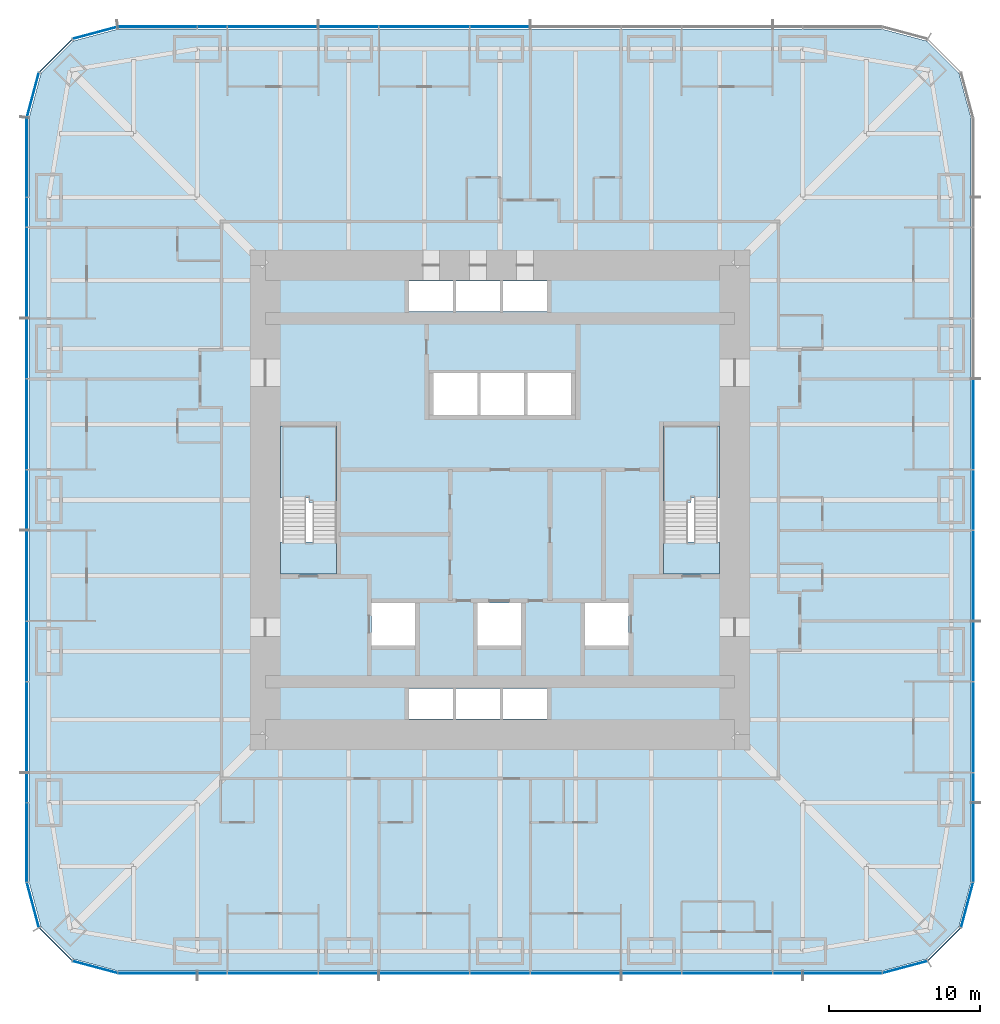
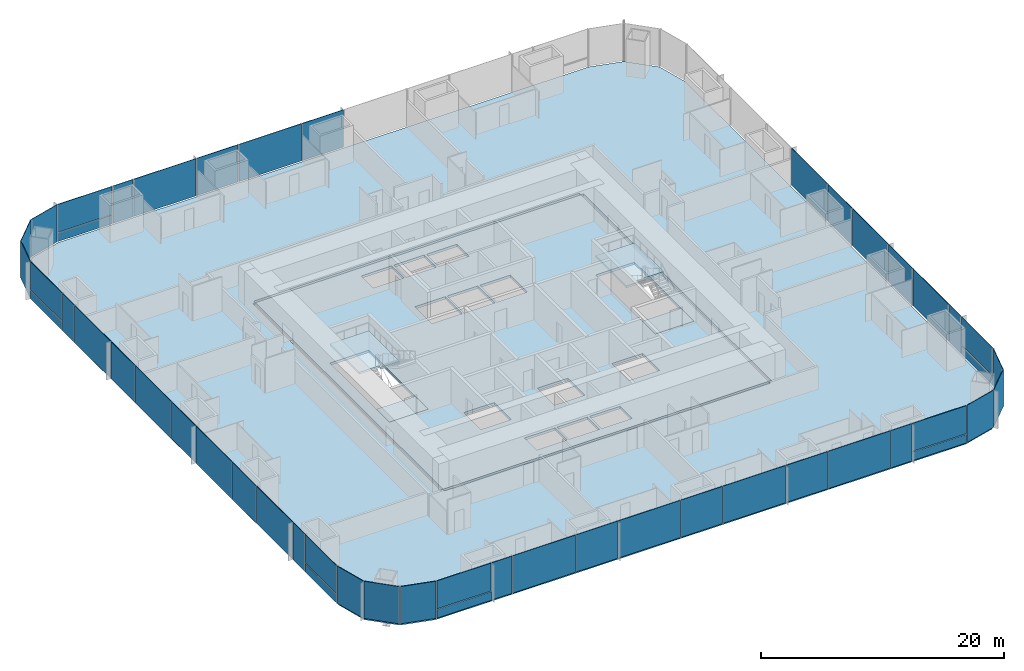
# One storey, part 10 of 16: 50 plates, 6 slabs, 9 elements without a shape of their own.
"""IFC4 building model written with IfcOpenShell, lengths in metres."""

from ifc_helpers import new_model, si_unit, direction, frame, origin, origin_2d, place, context, subcontext, project, spatial, polyline, rectangle, outline, extrude, material, layer, layer_set, type_object, element, aggregate, save


model = new_model("IFC4")

# Units and contexts
model_context = context("Model", 3, precision=1e-05, world=origin(), true_north=direction((0.0, 1.0)))
body_context = subcontext(model_context, "Body", "Model", "MODEL_VIEW")
ifc_project = project(units=[si_unit("LENGTHUNIT", "METRE"), si_unit("AREAUNIT", "SQUARE_METRE"), si_unit("VOLUMEUNIT", "CUBIC_METRE"), si_unit("PLANEANGLEUNIT", "RADIAN"), si_unit("MASSUNIT", "GRAM", prefix="KILO")], contexts=[model_context])

# Site, building, storey
site_placement = place(None, origin())
site = spatial("IfcSite", under=ifc_project, at=site_placement, CompositionType="ELEMENT")
building_placement = place(site_placement, origin())
building = spatial("IfcBuilding", under=site, at=building_placement, Name="Khuree Lantern Residences", CompositionType="ELEMENT")
storey_placement = place(building_placement, frame((0.0, 0.0, 81.0)))
storey = spatial("IfcBuildingStorey", under=building, at=storey_placement, Name="L20", CompositionType="ELEMENT", Elevation=81.0)

# Slab
ifc_material_1 = material(Name="Concrete C35/45", Category="concrete")
ifc_layer_1 = layer(ifc_material_1, 0.25)
ifc_layer_set_1 = layer_set([ifc_layer_1], Name="CFL250 CORE FLOOR SLAB 250")
slab_type_1 = type_object("IfcSlabType", Name="CFL250 CORE FLOOR SLAB 250", PredefinedType="FLOOR", material=ifc_layer_set_1)
slab_1_placement = place(storey_placement, frame((0.0, 0.0, -0.25)))
element("IfcSlab", 1, at=slab_1_placement, inside=storey, type_object=slab_type_1, Name="Core floor L20", PredefinedType="FLOOR", context=body_context, shape_type="SweptSolid", body=[
    extrude(outline(polyline([(-15.5, -15.5), (-15.5, 15.5), (15.5, 15.5), (15.5, -15.5), (-15.5, -15.5)]), holes=[polyline([(14.5, 4.89990234375), (10.800048828125, 4.89990234375), (10.800048828125, -4.89990234375), (14.5, -4.89990234375), (14.5, 4.89990234375)]), polyline([(8.5, -6.800048828125), (5.60009765625, -6.800048828125), (5.60009765625, -9.60009765625), (8.5, -9.60009765625), (8.5, -6.800048828125)]), polyline([(4.699951171875, 8.39990234375), (1.800048828125, 8.39990234375), (1.800048828125, 5.60009765625), (4.699951171875, 5.60009765625), (4.699951171875, 8.39990234375)]), polyline([(0.199951171875, -12.449951171875), (0.199951171875, -14.449951171875), (3.10009765625, -14.449951171875), (3.10009765625, -12.449951171875), (0.199951171875, -12.449951171875)]), polyline([(3.10009765625, 14.449951171875), (0.199951171875, 14.449951171875), (0.199951171875, 12.449951171875), (3.10009765625, 12.449951171875), (3.10009765625, 14.449951171875)]), polyline([(1.60009765625, 8.39990234375), (-1.300048828125, 8.39990234375), (-1.300048828125, 5.60009765625), (1.60009765625, 5.60009765625), (1.60009765625, 8.39990234375)]), polyline([(1.39990234375, -6.800048828125), (-1.5, -6.800048828125), (-1.5, -9.60009765625), (1.39990234375, -9.60009765625), (1.39990234375, -6.800048828125)]), polyline([(0.0, -12.449951171875), (-2.89990234375, -12.449951171875), (-2.89990234375, -14.449951171875), (0.0, -14.449951171875), (0.0, -12.449951171875)]), polyline([(0.0, 14.449951171875), (-2.89990234375, 14.449951171875), (-2.89990234375, 12.449951171875), (0.0, 12.449951171875), (0.0, 14.449951171875)]), polyline([(-1.5, 8.39990234375), (-4.39990234375, 8.39990234375), (-4.39990234375, 5.60009765625), (-1.5, 5.60009765625), (-1.5, 8.39990234375)]), polyline([(-6.0, -12.449951171875), (-6.0, -14.449951171875), (-3.10009765625, -14.449951171875), (-3.10009765625, -12.449951171875), (-6.0, -12.449951171875)]), polyline([(-3.10009765625, 14.449951171875), (-6.0, 14.449951171875), (-6.0, 12.449951171875), (-3.10009765625, 12.449951171875), (-3.10009765625, 14.449951171875)]), polyline([(-5.60009765625, -6.800048828125), (-8.5, -6.800048828125), (-8.5, -9.60009765625), (-5.60009765625, -9.60009765625), (-5.60009765625, -6.800048828125)]), polyline([(-10.800048828125, 4.89990234375), (-14.5, 4.89990234375), (-14.5, -4.89990234375), (-10.800048828125, -4.89990234375), (-10.800048828125, 4.89990234375)])]), origin(), (0.0, 0.0, 1.0), 0.25),
])

# Curtain wall, plates
ifc_material_2 = material(Name="Bronze anodised aluminium", Category="aluminium")
curtain_wall_type_1 = type_object("IfcCurtainWallType", Name="CW-T2 TOWER CORNER CURTAIN WALL", PredefinedType="USERDEFINED", material=ifc_material_2)
curtain_wall_1_placement = place(storey_placement, origin())
curtain_wall_1 = element("IfcCurtainWall", 2, at=curtain_wall_1_placement, inside=storey, type_object=curtain_wall_type_1, Name="L20 SOUTH-EAST CORNER CURTAIN WALL", ObjectType="Faceted corner curtain wall", PredefinedType="USERDEFINED")
ifc_material_3 = material(Name="Bronze tinted triple glazing", Category="glass")
ifc_layer_2 = layer(ifc_material_3, 0.048095703125)
ifc_layer_set_2 = layer_set([ifc_layer_2], Name="FACET PANEL P4")
plate_type_1 = type_object("IfcPlateType", Name="FACET PANEL P4", PredefinedType="CURTAIN_PANEL", material=ifc_layer_set_2)
plate_1_placement = place(storey_placement, frame((26.748046875, -30.8486328125, 0.0), z_axis=(0.0, 0.0, 1.0), x_axis=(0.965925792265, 0.258819172081, 0.0)))
plate_1 = element("IfcPlate", 3, at=plate_1_placement, type_object=plate_type_1, Name="L20 SOUTH-EAST CORNER PANEL 1.1", PredefinedType="CURTAIN_PANEL", context=body_context, shape_type="SweptSolid", body=[
    extrude(rectangle(XDim=3.02978515625, YDim=0.048095703125, at=origin_2d()), origin(), (0.0, 0.0, 1.0), 3.75),
])
plate_2_placement = place(storey_placement, frame((29.34814453125, -29.34814453125, 0.0), z_axis=(0.0, 0.0, 1.0), x_axis=(0.707106781187, 0.707106781187, 0.0)))
plate_2 = element("IfcPlate", 4, at=plate_2_placement, type_object=plate_type_1, Name="L20 SOUTH-EAST CORNER PANEL 2.1", PredefinedType="CURTAIN_PANEL", context=body_context, shape_type="SweptSolid", body=[
    extrude(rectangle(XDim=3.025634765625, YDim=0.048095703125, at=origin_2d()), origin(), (0.0, 0.0, 1.0), 3.75),
])
plate_3_placement = place(storey_placement, frame((30.8486328125, -26.748046875, 0.0), z_axis=(0.0, 0.0, 1.0), x_axis=(0.258819172081, 0.965925792265, 0.0)))
plate_3 = element("IfcPlate", 5, at=plate_3_placement, type_object=plate_type_1, Name="L20 SOUTH-EAST CORNER PANEL 3.1", PredefinedType="CURTAIN_PANEL", context=body_context, shape_type="SweptSolid", body=[
    extrude(rectangle(XDim=3.02978515625, YDim=0.048095703125, at=origin_2d()), origin(), (0.0, 0.0, 1.0), 3.75),
])
aggregate(curtain_wall_1, [plate_1, plate_2, plate_3])

curtain_wall_2_placement = place(storey_placement, origin())
curtain_wall_2 = element("IfcCurtainWall", 6, at=curtain_wall_2_placement, inside=storey, type_object=curtain_wall_type_1, Name="L20 NORTH-WEST CORNER CURTAIN WALL", ObjectType="Faceted corner curtain wall", PredefinedType="USERDEFINED")
plate_4_placement = place(storey_placement, frame((-26.748046875, 30.8486328125, 0.0), z_axis=(0.0, 0.0, 1.0), x_axis=(-0.965925792265, -0.258819172081, 0.0)))
plate_4 = element("IfcPlate", 7, at=plate_4_placement, type_object=plate_type_1, Name="L20 NORTH-WEST CORNER PANEL 29.1", PredefinedType="CURTAIN_PANEL", context=body_context, shape_type="SweptSolid", body=[
    extrude(rectangle(XDim=3.02978515625, YDim=0.048095703125, at=origin_2d()), origin(), (0.0, 0.0, 1.0), 3.75),
])
plate_5_placement = place(storey_placement, frame((-29.34814453125, 29.34814453125, 0.0), z_axis=(0.0, 0.0, 1.0), x_axis=(-0.707106781187, -0.707106781187, 0.0)))
plate_5 = element("IfcPlate", 8, at=plate_5_placement, type_object=plate_type_1, Name="L20 NORTH-WEST CORNER PANEL 30.1", PredefinedType="CURTAIN_PANEL", context=body_context, shape_type="SweptSolid", body=[
    extrude(rectangle(XDim=3.025634765625, YDim=0.048095703125, at=origin_2d()), origin(), (0.0, 0.0, 1.0), 3.75),
])
plate_6_placement = place(storey_placement, frame((-30.8486328125, 26.748046875, 0.0), z_axis=(0.0, 0.0, 1.0), x_axis=(-0.258819172081, -0.965925792265, 0.0)))
plate_6 = element("IfcPlate", 9, at=plate_6_placement, type_object=plate_type_1, Name="L20 NORTH-WEST CORNER PANEL 31.1", PredefinedType="CURTAIN_PANEL", context=body_context, shape_type="SweptSolid", body=[
    extrude(rectangle(XDim=3.02978515625, YDim=0.048095703125, at=origin_2d()), origin(), (0.0, 0.0, 1.0), 3.75),
])
aggregate(curtain_wall_2, [plate_4, plate_5, plate_6])

curtain_wall_3_placement = place(storey_placement, origin())
curtain_wall_3 = element("IfcCurtainWall", 10, at=curtain_wall_3_placement, inside=storey, type_object=curtain_wall_type_1, Name="L20 SOUTH-WEST CORNER CURTAIN WALL", ObjectType="Faceted corner curtain wall", PredefinedType="USERDEFINED")
plate_7_placement = place(storey_placement, frame((-30.8486328125, -26.748046875, 0.0), z_axis=(0.0, 0.0, 1.0), x_axis=(0.258819172081, -0.965925792265, 0.0)))
plate_7 = element("IfcPlate", 11, at=plate_7_placement, type_object=plate_type_1, Name="L20 SOUTH-WEST CORNER PANEL 43.1", PredefinedType="CURTAIN_PANEL", context=body_context, shape_type="SweptSolid", body=[
    extrude(rectangle(XDim=3.02978515625, YDim=0.048095703125, at=origin_2d()), origin(), (0.0, 0.0, 1.0), 3.75),
])
plate_8_placement = place(storey_placement, frame((-29.34814453125, -29.34814453125, 0.0), z_axis=(0.0, 0.0, 1.0), x_axis=(0.707106781187, -0.707106781187, 0.0)))
plate_8 = element("IfcPlate", 12, at=plate_8_placement, type_object=plate_type_1, Name="L20 SOUTH-WEST CORNER PANEL 44.1", PredefinedType="CURTAIN_PANEL", context=body_context, shape_type="SweptSolid", body=[
    extrude(rectangle(XDim=3.025634765625, YDim=0.048095703125, at=origin_2d()), origin(), (0.0, 0.0, 1.0), 3.75),
])
plate_9_placement = place(storey_placement, frame((-26.748046875, -30.8486328125, 0.0), z_axis=(0.0, 0.0, 1.0), x_axis=(0.965925792265, -0.258819172081, 0.0)))
plate_9 = element("IfcPlate", 13, at=plate_9_placement, type_object=plate_type_1, Name="L20 SOUTH-WEST CORNER PANEL 45.1", PredefinedType="CURTAIN_PANEL", context=body_context, shape_type="SweptSolid", body=[
    extrude(rectangle(XDim=3.02978515625, YDim=0.048095703125, at=origin_2d()), origin(), (0.0, 0.0, 1.0), 3.75),
])
aggregate(curtain_wall_3, [plate_7, plate_8, plate_9])

curtain_wall_type_2 = type_object("IfcCurtainWallType", Name="CW-T1 TOWER FACE CURTAIN WALL", PredefinedType="USERDEFINED", material=ifc_material_2)
curtain_wall_4_placement = place(storey_placement, origin())
curtain_wall_4 = element("IfcCurtainWall", 14, at=curtain_wall_4_placement, inside=storey, type_object=curtain_wall_type_2, Name="L20 EAST FACE CURTAIN WALL", ObjectType="Stick-built curtain wall", PredefinedType="USERDEFINED")
ifc_material_4 = material(Name="Bronze tinted triple glazing with a ceramic-fritted spandrel band", Category="glass")
ifc_layer_3 = layer(ifc_material_4, 0.048095703125)
ifc_layer_set_3 = layer_set([ifc_layer_3], Name="FIXED LIGHT PANEL P11")
plate_type_2 = type_object("IfcPlateType", Name="FIXED LIGHT PANEL P11", PredefinedType="CURTAIN_PANEL", material=ifc_layer_set_3)
plate_10_placement = place(storey_placement, frame((31.25, -15.0, 0.0), z_axis=(0.0, 0.0, 1.0), x_axis=(0.0, 1.0, 0.0)))
plate_10 = element("IfcPlate", 15, at=plate_10_placement, type_object=plate_type_2, Name="L20 EAST FACE PANEL 6.1", PredefinedType="CURTAIN_PANEL", context=body_context, shape_type="SweptSolid", body=[
    extrude(rectangle(XDim=5.93505859375, YDim=0.048095703125, at=origin_2d()), origin(), (0.0, 0.0, 1.0), 3.75),
])
plate_11_placement = place(storey_placement, frame((31.25, -5.0, 0.0), z_axis=(0.0, 0.0, 1.0), x_axis=(0.0, 1.0, 0.0)))
plate_11 = element("IfcPlate", 16, at=plate_11_placement, type_object=plate_type_2, Name="L20 EAST FACE PANEL 8.1", PredefinedType="CURTAIN_PANEL", context=body_context, shape_type="SweptSolid", body=[
    extrude(rectangle(XDim=5.93505859375, YDim=0.048095703125, at=origin_2d()), origin(), (0.0, 0.0, 1.0), 3.75),
])
plate_12_placement = place(storey_placement, frame((31.25, 5.0, 0.0), z_axis=(0.0, 0.0, 1.0), x_axis=(0.0, 1.0, 0.0)))
plate_12 = element("IfcPlate", 17, at=plate_12_placement, type_object=plate_type_2, Name="L20 EAST FACE PANEL 10.1", PredefinedType="CURTAIN_PANEL", context=body_context, shape_type="SweptSolid", body=[
    extrude(rectangle(XDim=5.93505859375, YDim=0.048095703125, at=origin_2d()), origin(), (0.0, 0.0, 1.0), 3.75),
])

curtain_wall_5_placement = place(storey_placement, origin())
curtain_wall_5 = element("IfcCurtainWall", 18, at=curtain_wall_5_placement, inside=storey, type_object=curtain_wall_type_2, Name="L20 NORTH FACE CURTAIN WALL", ObjectType="Stick-built curtain wall", PredefinedType="USERDEFINED")
plate_13_placement = place(storey_placement, frame((-5.0, 31.25, 0.0), z_axis=(0.0, 0.0, 1.0), x_axis=(-1.0, 0.0, 0.0)))
plate_13 = element("IfcPlate", 19, at=plate_13_placement, type_object=plate_type_2, Name="L20 NORTH FACE PANEL 24.1", PredefinedType="CURTAIN_PANEL", context=body_context, shape_type="SweptSolid", body=[
    extrude(rectangle(XDim=5.93505859375, YDim=0.048095703125, at=origin_2d()), origin(), (0.0, 0.0, 1.0), 3.75),
])
plate_14_placement = place(storey_placement, frame((-15.0, 31.25, 0.0), z_axis=(0.0, 0.0, 1.0), x_axis=(-1.0, 0.0, 0.0)))
plate_14 = element("IfcPlate", 20, at=plate_14_placement, type_object=plate_type_2, Name="L20 NORTH FACE PANEL 26.1", PredefinedType="CURTAIN_PANEL", context=body_context, shape_type="SweptSolid", body=[
    extrude(rectangle(XDim=5.93505859375, YDim=0.048095703125, at=origin_2d()), origin(), (0.0, 0.0, 1.0), 3.75),
])

curtain_wall_6_placement = place(storey_placement, origin())
curtain_wall_6 = element("IfcCurtainWall", 21, at=curtain_wall_6_placement, inside=storey, type_object=curtain_wall_type_2, Name="L20 WEST FACE CURTAIN WALL", ObjectType="Stick-built curtain wall", PredefinedType="USERDEFINED")
plate_15_placement = place(storey_placement, frame((-31.25, 15.0, 0.0), z_axis=(0.0, 0.0, 1.0), x_axis=(0.0, -1.0, 0.0)))
plate_15 = element("IfcPlate", 22, at=plate_15_placement, type_object=plate_type_2, Name="L20 WEST FACE PANEL 34.1", PredefinedType="CURTAIN_PANEL", context=body_context, shape_type="SweptSolid", body=[
    extrude(rectangle(XDim=5.93505859375, YDim=0.048095703125, at=origin_2d()), origin(), (0.0, 0.0, 1.0), 3.75),
])
plate_16_placement = place(storey_placement, frame((-31.25, 5.0, 0.0), z_axis=(0.0, 0.0, 1.0), x_axis=(0.0, -1.0, 0.0)))
plate_16 = element("IfcPlate", 23, at=plate_16_placement, type_object=plate_type_2, Name="L20 WEST FACE PANEL 36.1", PredefinedType="CURTAIN_PANEL", context=body_context, shape_type="SweptSolid", body=[
    extrude(rectangle(XDim=5.93505859375, YDim=0.048095703125, at=origin_2d()), origin(), (0.0, 0.0, 1.0), 3.75),
])
plate_17_placement = place(storey_placement, frame((-31.25, -5.0, 0.0), z_axis=(0.0, 0.0, 1.0), x_axis=(0.0, -1.0, 0.0)))
plate_17 = element("IfcPlate", 24, at=plate_17_placement, type_object=plate_type_2, Name="L20 WEST FACE PANEL 38.1", PredefinedType="CURTAIN_PANEL", context=body_context, shape_type="SweptSolid", body=[
    extrude(rectangle(XDim=5.93505859375, YDim=0.048095703125, at=origin_2d()), origin(), (0.0, 0.0, 1.0), 3.75),
])
plate_18_placement = place(storey_placement, frame((-31.25, -15.0, 0.0), z_axis=(0.0, 0.0, 1.0), x_axis=(0.0, -1.0, 0.0)))
plate_18 = element("IfcPlate", 25, at=plate_18_placement, type_object=plate_type_2, Name="L20 WEST FACE PANEL 40.1", PredefinedType="CURTAIN_PANEL", context=body_context, shape_type="SweptSolid", body=[
    extrude(rectangle(XDim=5.93505859375, YDim=0.048095703125, at=origin_2d()), origin(), (0.0, 0.0, 1.0), 3.75),
])

curtain_wall_7_placement = place(storey_placement, origin())
curtain_wall_7 = element("IfcCurtainWall", 26, at=curtain_wall_7_placement, inside=storey, type_object=curtain_wall_type_2, Name="L20 SOUTH FACE CURTAIN WALL", ObjectType="Stick-built curtain wall", PredefinedType="USERDEFINED")
plate_19_placement = place(storey_placement, frame((-15.0, -31.25, 0.0), z_axis=(0.0, 0.0, 1.0), x_axis=(1.0, 0.0, 0.0)))
plate_19 = element("IfcPlate", 27, at=plate_19_placement, type_object=plate_type_2, Name="L20 SOUTH FACE PANEL 48.1", PredefinedType="CURTAIN_PANEL", context=body_context, shape_type="SweptSolid", body=[
    extrude(rectangle(XDim=5.93505859375, YDim=0.048095703125, at=origin_2d()), origin(), (0.0, 0.0, 1.0), 3.75),
])
plate_20_placement = place(storey_placement, frame((-5.0, -31.25, 0.0), z_axis=(0.0, 0.0, 1.0), x_axis=(1.0, 0.0, 0.0)))
plate_20 = element("IfcPlate", 28, at=plate_20_placement, type_object=plate_type_2, Name="L20 SOUTH FACE PANEL 50.1", PredefinedType="CURTAIN_PANEL", context=body_context, shape_type="SweptSolid", body=[
    extrude(rectangle(XDim=5.93505859375, YDim=0.048095703125, at=origin_2d()), origin(), (0.0, 0.0, 1.0), 3.75),
])
plate_21_placement = place(storey_placement, frame((5.0, -31.25, 0.0), z_axis=(0.0, 0.0, 1.0), x_axis=(1.0, 0.0, 0.0)))
plate_21 = element("IfcPlate", 29, at=plate_21_placement, type_object=plate_type_2, Name="L20 SOUTH FACE PANEL 52.1", PredefinedType="CURTAIN_PANEL", context=body_context, shape_type="SweptSolid", body=[
    extrude(rectangle(XDim=5.93505859375, YDim=0.048095703125, at=origin_2d()), origin(), (0.0, 0.0, 1.0), 3.75),
])
plate_22_placement = place(storey_placement, frame((15.0, -31.25, 0.0), z_axis=(0.0, 0.0, 1.0), x_axis=(1.0, 0.0, 0.0)))
plate_22 = element("IfcPlate", 30, at=plate_22_placement, type_object=plate_type_2, Name="L20 SOUTH FACE PANEL 54.1", PredefinedType="CURTAIN_PANEL", context=body_context, shape_type="SweptSolid", body=[
    extrude(rectangle(XDim=5.93505859375, YDim=0.048095703125, at=origin_2d()), origin(), (0.0, 0.0, 1.0), 3.75),
])

# Slab
ifc_layer_4 = layer(ifc_material_1, 0.25)
ifc_layer_set_4 = layer_set([ifc_layer_4], Name="FS250 FLOOR SLAB 250")
slab_type_2 = type_object("IfcSlabType", Name="FS250 FLOOR SLAB 250", PredefinedType="FLOOR", material=ifc_layer_set_4)
slab_2_placement = place(storey_placement, frame((0.0, 0.0, -0.25)))
element("IfcSlab", 31, at=slab_2_placement, inside=storey, type_object=slab_type_2, Name="Floor slab L20", PredefinedType="FLOOR", context=body_context, shape_type="SweptSolid", body=[
    extrude(outline(polyline([(-28.175048828125, -30.316162109375), (-30.316162109375, -28.175048828125), (-31.10009765625, -25.25), (-31.10009765625, 25.25), (-30.316162109375, 28.175048828125), (-28.175048828125, 30.316162109375), (-25.25, 31.10009765625), (25.25, 31.10009765625), (28.175048828125, 30.316162109375), (30.316162109375, 28.175048828125), (31.10009765625, 25.25), (31.10009765625, -25.25), (30.316162109375, -28.175048828125), (28.175048828125, -30.316162109375), (25.25, -31.10009765625), (-25.25, -31.10009765625), (-28.175048828125, -30.316162109375)]), holes=[polyline([(15.75, 15.5), (15.5, 15.5), (15.5, 15.75), (-15.5, 15.75), (-15.5, 15.5), (-15.75, 15.5), (-15.75, -15.5), (-15.5, -15.5), (-15.5, -15.75), (15.5, -15.75), (15.5, -15.5), (15.75, -15.5), (15.75, 15.5)])]), origin(), (0.0, 0.0, 1.0), 0.25),
])

# Plate
ifc_material_5 = material(Name="Bronze tinted triple glazing, two aluminium-framed sashes in one frame", Category="aluminium")
ifc_layer_5 = layer(ifc_material_5, 0.048095703125)
ifc_layer_set_5 = layer_set([ifc_layer_5], Name="SASH PAIR PANEL P12")
plate_type_3 = type_object("IfcPlateType", Name="SASH PAIR PANEL P12", PredefinedType="CURTAIN_PANEL", material=ifc_layer_set_5)
plate_23_placement = place(storey_placement, frame((31.25, -10.0, 0.0), z_axis=(0.0, 0.0, 1.0), x_axis=(0.0, 1.0, 0.0)))
plate_23 = element("IfcPlate", 32, at=plate_23_placement, type_object=plate_type_3, Name="L20 EAST FACE PANEL 7.1", PredefinedType="CURTAIN_PANEL", context=body_context, shape_type="SweptSolid", body=[
    extrude(rectangle(XDim=3.93505859375, YDim=0.048095703125, at=origin_2d()), origin(), (0.0, 0.0, 1.0), 3.75),
])

plate_24_placement = place(storey_placement, frame((31.25, 0.0, 0.0), z_axis=(0.0, 0.0, 1.0), x_axis=(0.0, 1.0, 0.0)))
plate_24 = element("IfcPlate", 33, at=plate_24_placement, type_object=plate_type_3, Name="L20 EAST FACE PANEL 9.1", PredefinedType="CURTAIN_PANEL", context=body_context, shape_type="SweptSolid", body=[
    extrude(rectangle(XDim=3.93505859375, YDim=0.048095703125, at=origin_2d()), origin(), (0.0, 0.0, 1.0), 3.75),
])

plate_25_placement = place(storey_placement, frame((0.0, 31.25, 0.0), z_axis=(0.0, 0.0, 1.0), x_axis=(-1.0, 0.0, 0.0)))
plate_25 = element("IfcPlate", 34, at=plate_25_placement, type_object=plate_type_3, Name="L20 NORTH FACE PANEL 23.1", PredefinedType="CURTAIN_PANEL", context=body_context, shape_type="SweptSolid", body=[
    extrude(rectangle(XDim=3.93505859375, YDim=0.048095703125, at=origin_2d()), origin(), (0.0, 0.0, 1.0), 3.75),
])

plate_26_placement = place(storey_placement, frame((-10.0, 31.25, 0.0), z_axis=(0.0, 0.0, 1.0), x_axis=(-1.0, 0.0, 0.0)))
plate_26 = element("IfcPlate", 35, at=plate_26_placement, type_object=plate_type_3, Name="L20 NORTH FACE PANEL 25.1", PredefinedType="CURTAIN_PANEL", context=body_context, shape_type="SweptSolid", body=[
    extrude(rectangle(XDim=3.93505859375, YDim=0.048095703125, at=origin_2d()), origin(), (0.0, 0.0, 1.0), 3.75),
])

plate_27_placement = place(storey_placement, frame((-31.25, 10.0, 0.0), z_axis=(0.0, 0.0, 1.0), x_axis=(0.0, -1.0, 0.0)))
plate_27 = element("IfcPlate", 36, at=plate_27_placement, type_object=plate_type_3, Name="L20 WEST FACE PANEL 35.1", PredefinedType="CURTAIN_PANEL", context=body_context, shape_type="SweptSolid", body=[
    extrude(rectangle(XDim=3.93505859375, YDim=0.048095703125, at=origin_2d()), origin(), (0.0, 0.0, 1.0), 3.75),
])

plate_28_placement = place(storey_placement, frame((-31.25, 0.0, 0.0), z_axis=(0.0, 0.0, 1.0), x_axis=(0.0, -1.0, 0.0)))
plate_28 = element("IfcPlate", 37, at=plate_28_placement, type_object=plate_type_3, Name="L20 WEST FACE PANEL 37.1", PredefinedType="CURTAIN_PANEL", context=body_context, shape_type="SweptSolid", body=[
    extrude(rectangle(XDim=3.93505859375, YDim=0.048095703125, at=origin_2d()), origin(), (0.0, 0.0, 1.0), 3.75),
])

plate_29_placement = place(storey_placement, frame((-31.25, -10.0, 0.0), z_axis=(0.0, 0.0, 1.0), x_axis=(0.0, -1.0, 0.0)))
plate_29 = element("IfcPlate", 38, at=plate_29_placement, type_object=plate_type_3, Name="L20 WEST FACE PANEL 39.1", PredefinedType="CURTAIN_PANEL", context=body_context, shape_type="SweptSolid", body=[
    extrude(rectangle(XDim=3.93505859375, YDim=0.048095703125, at=origin_2d()), origin(), (0.0, 0.0, 1.0), 3.75),
])

plate_30_placement = place(storey_placement, frame((-10.0, -31.25, 0.0), z_axis=(0.0, 0.0, 1.0), x_axis=(1.0, 0.0, 0.0)))
plate_30 = element("IfcPlate", 39, at=plate_30_placement, type_object=plate_type_3, Name="L20 SOUTH FACE PANEL 49.1", PredefinedType="CURTAIN_PANEL", context=body_context, shape_type="SweptSolid", body=[
    extrude(rectangle(XDim=3.93505859375, YDim=0.048095703125, at=origin_2d()), origin(), (0.0, 0.0, 1.0), 3.75),
])

plate_31_placement = place(storey_placement, frame((0.0, -31.25, 0.0), z_axis=(0.0, 0.0, 1.0), x_axis=(1.0, 0.0, 0.0)))
plate_31 = element("IfcPlate", 40, at=plate_31_placement, type_object=plate_type_3, Name="L20 SOUTH FACE PANEL 51.1", PredefinedType="CURTAIN_PANEL", context=body_context, shape_type="SweptSolid", body=[
    extrude(rectangle(XDim=3.93505859375, YDim=0.048095703125, at=origin_2d()), origin(), (0.0, 0.0, 1.0), 3.75),
])

plate_32_placement = place(storey_placement, frame((10.0, -31.25, 0.0), z_axis=(0.0, 0.0, 1.0), x_axis=(1.0, 0.0, 0.0)))
plate_32 = element("IfcPlate", 41, at=plate_32_placement, type_object=plate_type_3, Name="L20 SOUTH FACE PANEL 53.1", PredefinedType="CURTAIN_PANEL", context=body_context, shape_type="SweptSolid", body=[
    extrude(rectangle(XDim=3.93505859375, YDim=0.048095703125, at=origin_2d()), origin(), (0.0, 0.0, 1.0), 3.75),
])

ifc_material_6 = material(Name="Bronze tinted triple glazing, aluminium-framed sash", Category="aluminium")
ifc_layer_6 = layer(ifc_material_6, 0.048095703125)
ifc_layer_set_6 = layer_set([ifc_layer_6], Name="SASH PANEL P3")
plate_type_4 = type_object("IfcPlateType", Name="SASH PANEL P3", PredefinedType="CURTAIN_PANEL", material=ifc_layer_set_6)
plate_33_placement = place(storey_placement, frame((31.25, -19.0, 0.0), z_axis=(0.0, 0.0, 1.0), x_axis=(0.0, 1.0, 0.0)))
plate_33 = element("IfcPlate", 42, at=plate_33_placement, type_object=plate_type_4, Name="L20 EAST FACE PANEL 5.1", PredefinedType="CURTAIN_PANEL", context=body_context, shape_type="SweptSolid", body=[
    extrude(rectangle(XDim=1.93505859375, YDim=0.048095703125, at=origin_2d()), origin(), (0.0, 0.0, 1.0), 3.75),
])

plate_34_placement = place(storey_placement, frame((-19.0, 31.25, 0.0), z_axis=(0.0, 0.0, 1.0), x_axis=(-1.0, 0.0, 0.0)))
plate_34 = element("IfcPlate", 43, at=plate_34_placement, type_object=plate_type_4, Name="L20 NORTH FACE PANEL 27.1", PredefinedType="CURTAIN_PANEL", context=body_context, shape_type="SweptSolid", body=[
    extrude(rectangle(XDim=1.93505859375, YDim=0.048095703125, at=origin_2d()), origin(), (0.0, 0.0, 1.0), 3.75),
])

plate_35_placement = place(storey_placement, frame((-31.25, 19.0, 0.0), z_axis=(0.0, 0.0, 1.0), x_axis=(0.0, -1.0, 0.0)))
plate_35 = element("IfcPlate", 44, at=plate_35_placement, type_object=plate_type_4, Name="L20 WEST FACE PANEL 33.1", PredefinedType="CURTAIN_PANEL", context=body_context, shape_type="SweptSolid", body=[
    extrude(rectangle(XDim=1.93505859375, YDim=0.048095703125, at=origin_2d()), origin(), (0.0, 0.0, 1.0), 3.75),
])

plate_36_placement = place(storey_placement, frame((-31.25, -19.0, 0.0), z_axis=(0.0, 0.0, 1.0), x_axis=(0.0, -1.0, 0.0)))
plate_36 = element("IfcPlate", 45, at=plate_36_placement, type_object=plate_type_4, Name="L20 WEST FACE PANEL 41.1", PredefinedType="CURTAIN_PANEL", context=body_context, shape_type="SweptSolid", body=[
    extrude(rectangle(XDim=1.93505859375, YDim=0.048095703125, at=origin_2d()), origin(), (0.0, 0.0, 1.0), 3.75),
])

plate_37_placement = place(storey_placement, frame((-19.0, -31.25, 0.0), z_axis=(0.0, 0.0, 1.0), x_axis=(1.0, 0.0, 0.0)))
plate_37 = element("IfcPlate", 46, at=plate_37_placement, type_object=plate_type_4, Name="L20 SOUTH FACE PANEL 47.1", PredefinedType="CURTAIN_PANEL", context=body_context, shape_type="SweptSolid", body=[
    extrude(rectangle(XDim=1.93505859375, YDim=0.048095703125, at=origin_2d()), origin(), (0.0, 0.0, 1.0), 3.75),
])

plate_38_placement = place(storey_placement, frame((19.0, -31.25, 0.0), z_axis=(0.0, 0.0, 1.0), x_axis=(1.0, 0.0, 0.0)))
plate_38 = element("IfcPlate", 47, at=plate_38_placement, type_object=plate_type_4, Name="L20 SOUTH FACE PANEL 55.1", PredefinedType="CURTAIN_PANEL", context=body_context, shape_type="SweptSolid", body=[
    extrude(rectangle(XDim=1.93505859375, YDim=0.048095703125, at=origin_2d()), origin(), (0.0, 0.0, 1.0), 3.75),
])

ifc_material_7 = material(Name="Bronze anodised aluminium insulated spandrel", Category="aluminium")
ifc_layer_7 = layer(ifc_material_7, 0.06005859375)
ifc_layer_set_7 = layer_set([ifc_layer_7], Name="SPANDREL PANEL P2")
plate_type_5 = type_object("IfcPlateType", Name="SPANDREL PANEL P2", PredefinedType="CURTAIN_PANEL", material=ifc_layer_set_7)
plate_39_placement = place(storey_placement, frame((31.25, -22.622802734375, 0.0), z_axis=(0.0, 0.0, 1.0), x_axis=(0.0, 1.0, 0.0)))
plate_39 = element("IfcPlate", 48, at=plate_39_placement, type_object=plate_type_5, Name="L20 EAST FACE PANEL 4.1", PredefinedType="CURTAIN_PANEL", context=body_context, shape_type="SweptSolid", body=[
    extrude(rectangle(XDim=5.1806640625, YDim=0.06005859375, at=origin_2d()), origin(), (0.0, 0.0, 1.0), 0.867431640625),
])

plate_40_placement = place(storey_placement, frame((-22.622802734375, 31.25, 0.0), z_axis=(0.0, 0.0, 1.0), x_axis=(-1.0, 0.0, 0.0)))
plate_40 = element("IfcPlate", 49, at=plate_40_placement, type_object=plate_type_5, Name="L20 NORTH FACE PANEL 28.1", PredefinedType="CURTAIN_PANEL", context=body_context, shape_type="SweptSolid", body=[
    extrude(rectangle(XDim=5.1806640625, YDim=0.06005859375, at=origin_2d()), origin(), (0.0, 0.0, 1.0), 0.867431640625),
])

plate_41_placement = place(storey_placement, frame((-31.25, 22.622802734375, 0.0), z_axis=(0.0, 0.0, 1.0), x_axis=(0.0, -1.0, 0.0)))
plate_41 = element("IfcPlate", 50, at=plate_41_placement, type_object=plate_type_5, Name="L20 WEST FACE PANEL 32.1", PredefinedType="CURTAIN_PANEL", context=body_context, shape_type="SweptSolid", body=[
    extrude(rectangle(XDim=5.1806640625, YDim=0.06005859375, at=origin_2d()), origin(), (0.0, 0.0, 1.0), 0.867431640625),
])

plate_42_placement = place(storey_placement, frame((-31.25, -22.622802734375, 0.0), z_axis=(0.0, 0.0, 1.0), x_axis=(0.0, -1.0, 0.0)))
plate_42 = element("IfcPlate", 51, at=plate_42_placement, type_object=plate_type_5, Name="L20 WEST FACE PANEL 42.1", PredefinedType="CURTAIN_PANEL", context=body_context, shape_type="SweptSolid", body=[
    extrude(rectangle(XDim=5.1806640625, YDim=0.06005859375, at=origin_2d()), origin(), (0.0, 0.0, 1.0), 0.867431640625),
])

plate_43_placement = place(storey_placement, frame((-22.622802734375, -31.25, 0.0), z_axis=(0.0, 0.0, 1.0), x_axis=(1.0, 0.0, 0.0)))
plate_43 = element("IfcPlate", 52, at=plate_43_placement, type_object=plate_type_5, Name="L20 SOUTH FACE PANEL 46.1", PredefinedType="CURTAIN_PANEL", context=body_context, shape_type="SweptSolid", body=[
    extrude(rectangle(XDim=5.1806640625, YDim=0.06005859375, at=origin_2d()), origin(), (0.0, 0.0, 1.0), 0.867431640625),
])

plate_44_placement = place(storey_placement, frame((22.622802734375, -31.25, 0.0), z_axis=(0.0, 0.0, 1.0), x_axis=(1.0, 0.0, 0.0)))
plate_44 = element("IfcPlate", 53, at=plate_44_placement, type_object=plate_type_5, Name="L20 SOUTH FACE PANEL 56.1", PredefinedType="CURTAIN_PANEL", context=body_context, shape_type="SweptSolid", body=[
    extrude(rectangle(XDim=5.1806640625, YDim=0.06005859375, at=origin_2d()), origin(), (0.0, 0.0, 1.0), 0.867431640625),
])

# Stair, slabs
ifc_material_8 = material(Name="Concrete C40/50", Category="concrete")
stair_type = type_object("IfcStairType", Name="STAIR ST1 HALF TURN 3600", PredefinedType="HALF_TURN_STAIR", material=ifc_material_8)
stair_1_placement = place(storey_placement, origin())
stair_1 = element("IfcStair", 54, at=stair_1_placement, inside=storey, type_object=stair_type, Name="Stair ST1", PredefinedType="HALF_TURN_STAIR")
ifc_layer_8 = layer(ifc_material_8, 0.199951171875)
ifc_layer_set_8 = layer_set([ifc_layer_8], Name="STAIR LANDING SL1 200")
slab_type_3 = type_object("IfcSlabType", Name="STAIR LANDING SL1 200", PredefinedType="LANDING", material=ifc_layer_set_8)
slab_3_placement = place(storey_placement, frame((0.0, 0.0, -0.199951171875)))
slab_3 = element("IfcSlab", 55, at=slab_3_placement, type_object=slab_type_3, Name="ST1 landing 1", PredefinedType="LANDING", context=body_context, shape_type="SweptSolid", body=[
    extrude(outline(polyline([(-14.5, -4.89990234375), (-10.800048828125, -4.89990234375), (-10.800048828125, -2.760009765625), (-14.5, -2.760009765625), (-14.5, -4.89990234375)])), origin(), (0.0, 0.0, 1.0), 0.199951171875),
])
slab_4_placement = place(storey_placement, frame((0.0, 0.0, 1.756591796875)))
slab_4 = element("IfcSlab", 56, at=slab_4_placement, type_object=slab_type_3, Name="ST1 landing 2", PredefinedType="LANDING", context=body_context, shape_type="SweptSolid", body=[
    extrude(outline(polyline([(-14.5, 0.1201171875), (-14.5, 4.89990234375), (-10.800048828125, 4.89990234375), (-10.800048828125, -0.159912109375), (-12.60009765625, -0.159912109375), (-12.60009765625, 0.1201171875), (-14.5, 0.1201171875)])), origin(), (0.0, 0.0, 1.0), 0.199951171875),
])
aggregate(stair_1, [slab_3, slab_4])

stair_2_placement = place(storey_placement, origin())
stair_2 = element("IfcStair", 57, at=stair_2_placement, inside=storey, type_object=stair_type, Name="Stair ST2", PredefinedType="HALF_TURN_STAIR")
slab_5_placement = place(storey_placement, frame((0.0, 0.0, -0.199951171875)))
slab_5 = element("IfcSlab", 58, at=slab_5_placement, type_object=slab_type_3, Name="ST2 landing 1", PredefinedType="LANDING", context=body_context, shape_type="SweptSolid", body=[
    extrude(outline(polyline([(10.800048828125, -4.89990234375), (14.5, -4.89990234375), (14.5, -2.760009765625), (10.800048828125, -2.760009765625), (10.800048828125, -4.89990234375)])), origin(), (0.0, 0.0, 1.0), 0.199951171875),
])
slab_6_placement = place(storey_placement, frame((0.0, 0.0, 1.756591796875)))
slab_6 = element("IfcSlab", 59, at=slab_6_placement, type_object=slab_type_3, Name="ST2 landing 2", PredefinedType="LANDING", context=body_context, shape_type="SweptSolid", body=[
    extrude(outline(polyline([(14.5, 4.89990234375), (14.5, 0.1201171875), (12.60009765625, 0.1201171875), (12.60009765625, -0.159912109375), (10.800048828125, -0.159912109375), (10.800048828125, 4.89990234375), (14.5, 4.89990234375)])), origin(), (0.0, 0.0, 1.0), 0.199951171875),
])
aggregate(stair_2, [slab_5, slab_6])

# Plate
ifc_layer_9 = layer(ifc_material_3, 0.048095703125)
ifc_layer_set_9 = layer_set([ifc_layer_9], Name="VISION PANEL P1")
plate_type_6 = type_object("IfcPlateType", Name="VISION PANEL P1", PredefinedType="CURTAIN_PANEL", material=ifc_layer_set_9)
plate_45_placement = place(storey_placement, frame((31.25, -22.623291015625, 0.9326171875), z_axis=(0.0, 0.0, 1.0), x_axis=(0.0, 1.0, 0.0)))
plate_45 = element("IfcPlate", 60, at=plate_45_placement, type_object=plate_type_6, Name="L20 EAST FACE PANEL 4.2", PredefinedType="CURTAIN_PANEL", context=body_context, shape_type="SweptSolid", body=[
    extrude(rectangle(XDim=5.181640625, YDim=0.048095703125, at=origin_2d()), origin(), (0.0, 0.0, 1.0), 2.8173828125),
])

aggregate(curtain_wall_4, [plate_39, plate_45, plate_33, plate_10, plate_23, plate_11, plate_24, plate_12])

plate_46_placement = place(storey_placement, frame((-22.623291015625, 31.25, 0.9326171875), z_axis=(0.0, 0.0, 1.0), x_axis=(-1.0, 0.0, 0.0)))
plate_46 = element("IfcPlate", 61, at=plate_46_placement, type_object=plate_type_6, Name="L20 NORTH FACE PANEL 28.2", PredefinedType="CURTAIN_PANEL", context=body_context, shape_type="SweptSolid", body=[
    extrude(rectangle(XDim=5.181640625, YDim=0.048095703125, at=origin_2d()), origin(), (0.0, 0.0, 1.0), 2.8173828125),
])

aggregate(curtain_wall_5, [plate_25, plate_13, plate_26, plate_14, plate_34, plate_40, plate_46])

plate_47_placement = place(storey_placement, frame((-31.25, 22.623291015625, 0.9326171875), z_axis=(0.0, 0.0, 1.0), x_axis=(0.0, -1.0, 0.0)))
plate_47 = element("IfcPlate", 62, at=plate_47_placement, type_object=plate_type_6, Name="L20 WEST FACE PANEL 32.2", PredefinedType="CURTAIN_PANEL", context=body_context, shape_type="SweptSolid", body=[
    extrude(rectangle(XDim=5.181640625, YDim=0.048095703125, at=origin_2d()), origin(), (0.0, 0.0, 1.0), 2.8173828125),
])

plate_48_placement = place(storey_placement, frame((-31.25, -22.623291015625, 0.9326171875), z_axis=(0.0, 0.0, 1.0), x_axis=(0.0, -1.0, 0.0)))
plate_48 = element("IfcPlate", 63, at=plate_48_placement, type_object=plate_type_6, Name="L20 WEST FACE PANEL 42.2", PredefinedType="CURTAIN_PANEL", context=body_context, shape_type="SweptSolid", body=[
    extrude(rectangle(XDim=5.181640625, YDim=0.048095703125, at=origin_2d()), origin(), (0.0, 0.0, 1.0), 2.8173828125),
])

aggregate(curtain_wall_6, [plate_41, plate_47, plate_35, plate_15, plate_27, plate_16, plate_28, plate_17, plate_29, plate_18, plate_36, plate_42, plate_48])

plate_49_placement = place(storey_placement, frame((-22.623291015625, -31.25, 0.9326171875), z_axis=(0.0, 0.0, 1.0), x_axis=(1.0, 0.0, 0.0)))
plate_49 = element("IfcPlate", 64, at=plate_49_placement, type_object=plate_type_6, Name="L20 SOUTH FACE PANEL 46.2", PredefinedType="CURTAIN_PANEL", context=body_context, shape_type="SweptSolid", body=[
    extrude(rectangle(XDim=5.181640625, YDim=0.048095703125, at=origin_2d()), origin(), (0.0, 0.0, 1.0), 2.8173828125),
])

plate_50_placement = place(storey_placement, frame((22.623291015625, -31.25, 0.9326171875), z_axis=(0.0, 0.0, 1.0), x_axis=(1.0, 0.0, 0.0)))
plate_50 = element("IfcPlate", 65, at=plate_50_placement, type_object=plate_type_6, Name="L20 SOUTH FACE PANEL 56.2", PredefinedType="CURTAIN_PANEL", context=body_context, shape_type="SweptSolid", body=[
    extrude(rectangle(XDim=5.181640625, YDim=0.048095703125, at=origin_2d()), origin(), (0.0, 0.0, 1.0), 2.8173828125),
])

aggregate(curtain_wall_7, [plate_43, plate_49, plate_37, plate_19, plate_30, plate_20, plate_31, plate_21, plate_32, plate_22, plate_38, plate_44, plate_50])

save(model, "model.ifc")
